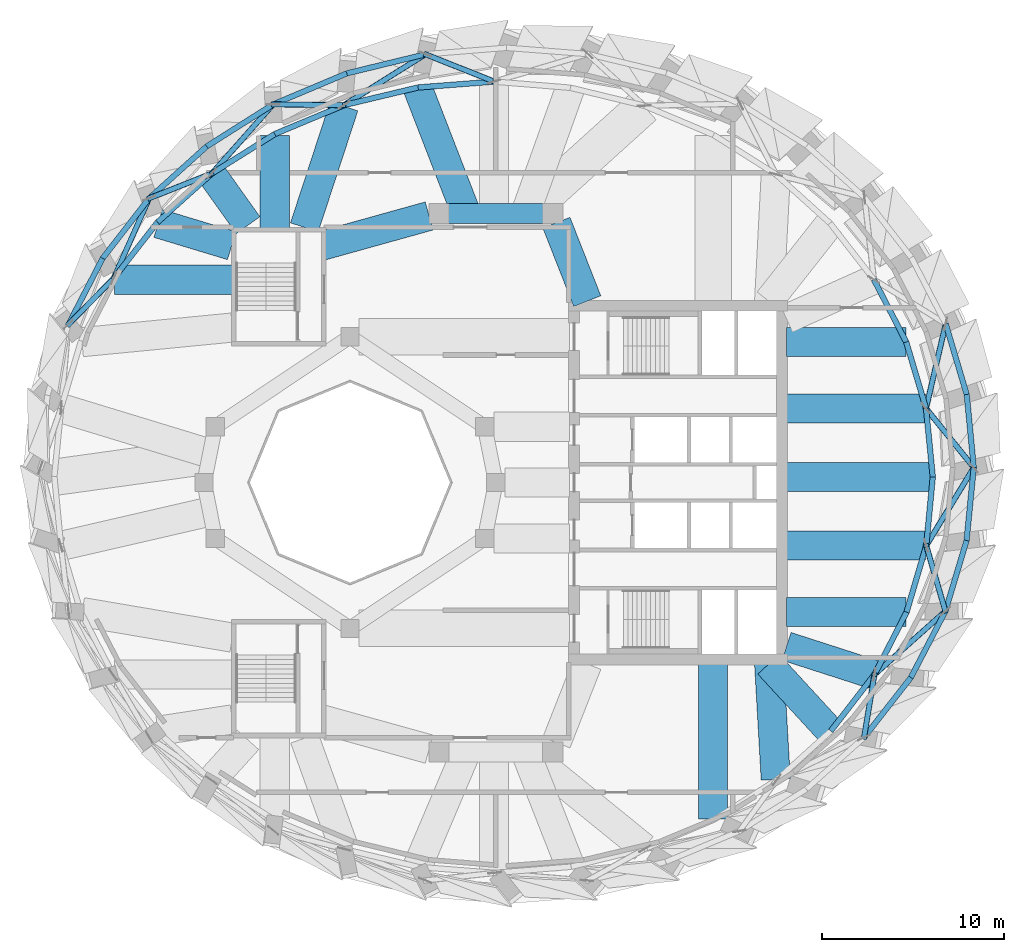
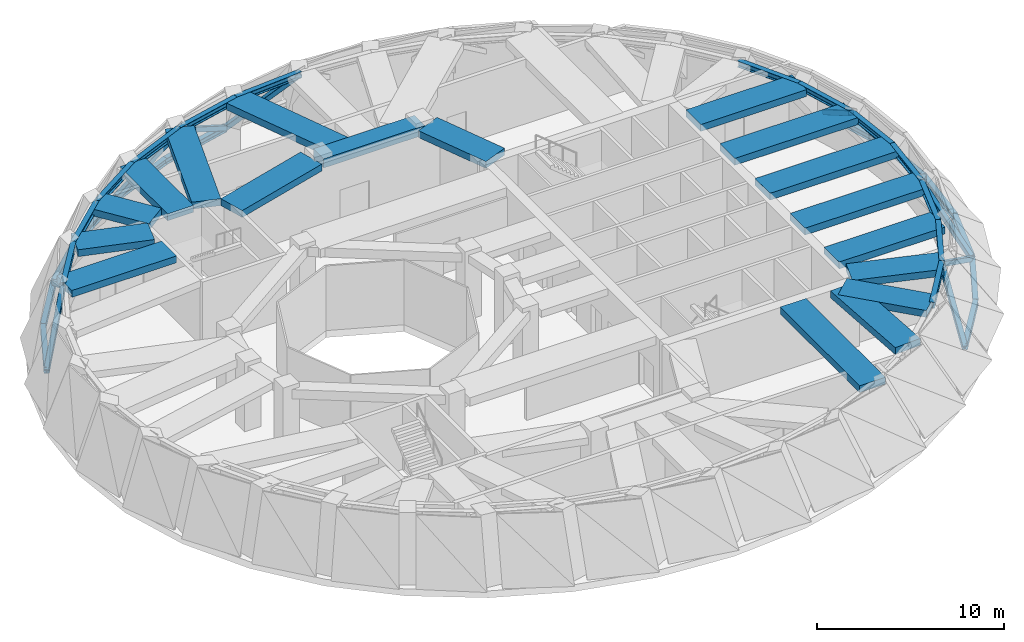
# One storey, part 3 of 14: 38 members, 18 beams.
"""IFC4 building model written with IfcOpenShell, lengths in metres."""

from ifc_helpers import new_model, si_unit, direction, frame, origin, origin_2d, place, context, subcontext, project, spatial, rectangle, hollow_rectangle, i_section, extrude, material, material_profile, profile_set, type_object, element, save


model = new_model("IFC4")

# Units and contexts
model_context = context("Model", 3, precision=1e-05, world=origin(), true_north=direction((0.0, 1.0)))
body_context = subcontext(model_context, "Body", "Model", "MODEL_VIEW")
ifc_project = project(units=[si_unit("LENGTHUNIT", "METRE"), si_unit("AREAUNIT", "SQUARE_METRE"), si_unit("VOLUMEUNIT", "CUBIC_METRE"), si_unit("PLANEANGLEUNIT", "RADIAN"), si_unit("MASSUNIT", "GRAM", prefix="KILO")], contexts=[model_context])

# Site, building, storey
site_placement = place(None, origin())
site = spatial("IfcSite", under=ifc_project, at=site_placement, CompositionType="ELEMENT")
building_placement = place(site_placement, origin())
building = spatial("IfcBuilding", under=site, at=building_placement, Name="Taillehof Tower", CompositionType="ELEMENT")
storey_placement = place(building_placement, frame((0.0, 0.0, 228.800048828125)))
storey = spatial("IfcBuildingStorey", under=building, at=storey_placement, Name="L65", CompositionType="ELEMENT", Elevation=228.800048828125)

# Members
ifc_material_1 = material(Name="Steel S460M", Category="steel")
ifc_material_profile_1 = material_profile(ifc_material_1, i_section(OverallWidth=0.300048828125, OverallDepth=0.39990234375, WebThickness=0.013427734375, FlangeThickness=0.02392578125, FilletRadius=0.027099609375, at=origin_2d()), Name="HEB 400")
ifc_profile_set_1 = profile_set([ifc_material_profile_1], Name="Steel S460M")
member_type_1 = type_object("IfcMemberType", Name="Belt truss chord HEB 400", PredefinedType="CHORD", material=ifc_profile_set_1)
member_1_placement = place(storey_placement, frame((26.222900390625, 0.824462890625, 0.89990234375), z_axis=(-0.095963380189, 0.995384865096, 0.0), x_axis=(-0.995384865096, -0.095963380189, 0.0)))
element("IfcMember", 1, at=member_1_placement, inside=storey, type_object=member_type_1, Name="Belt truss bottom chord BB01", PredefinedType="CHORD", context=body_context, shape_type="SweptSolid", body=[
    extrude(i_section(OverallWidth=0.300048828125, OverallDepth=0.39990234375, WebThickness=0.013427734375, FlangeThickness=0.02392578125, FilletRadius=0.027099609375, at=origin_2d()), origin(), (0.0, 0.0, 1.0), 4.022216796875),
])
member_2_placement = place(storey_placement, frame((23.974609375, 0.3056640625, 4.02001953125), z_axis=(-0.097949113765, 0.995191424356, 0.0), x_axis=(-0.995191424356, -0.097949113765, 0.0)))
element("IfcMember", 2, at=member_2_placement, inside=storey, type_object=member_type_1, Name="Belt truss top chord BT01", PredefinedType="CHORD", context=body_context, shape_type="SweptSolid", body=[
    extrude(i_section(OverallWidth=0.300048828125, OverallDepth=0.39990234375, WebThickness=0.013427734375, FlangeThickness=0.02392578125, FilletRadius=0.027099609375, at=origin_2d()), origin(), (0.0, 0.0, 1.0), 3.778564453125),
])
member_3_placement = place(storey_placement, frame((25.8369140625, 4.828125, 0.89990234375), z_axis=(-0.285079544815, 0.958503861822, 0.0), x_axis=(-0.958503861822, -0.285079544815, 0.0)))
element("IfcMember", 3, at=member_3_placement, inside=storey, type_object=member_type_1, Name="Belt truss bottom chord BB02", PredefinedType="CHORD", context=body_context, shape_type="SweptSolid", body=[
    extrude(i_section(OverallWidth=0.300048828125, OverallDepth=0.39990234375, WebThickness=0.013427734375, FlangeThickness=0.02392578125, FilletRadius=0.027099609375, at=origin_2d()), origin(), (0.0, 0.0, 1.0), 4.0498046875),
])
member_4_placement = place(storey_placement, frame((23.6044921875, 4.066162109375, 4.02001953125), z_axis=(-0.285887811423, 0.958263095021, 0.0), x_axis=(-0.958263095021, -0.285887811423, 0.0)))
element("IfcMember", 4, at=member_4_placement, inside=storey, type_object=member_type_1, Name="Belt truss top chord BT02", PredefinedType="CHORD", context=body_context, shape_type="SweptSolid", body=[
    extrude(i_section(OverallWidth=0.300048828125, OverallDepth=0.39990234375, WebThickness=0.013427734375, FlangeThickness=0.02392578125, FilletRadius=0.027099609375, at=origin_2d()), origin(), (0.0, 0.0, 1.0), 3.805419921875),
])
member_5_placement = place(storey_placement, frame((22.5166015625, 7.712646484375, 4.02001953125), z_axis=(-0.459939883839, 0.887950056734, 0.0), x_axis=(-0.887950056734, -0.459939883839, 0.0)))
element("IfcMember", 5, at=member_5_placement, inside=storey, type_object=member_type_1, Name="Belt truss top chord BT03", PredefinedType="CHORD", context=body_context, shape_type="SweptSolid", body=[
    extrude(i_section(OverallWidth=0.300048828125, OverallDepth=0.39990234375, WebThickness=0.013427734375, FlangeThickness=0.02392578125, FilletRadius=0.027099609375, at=origin_2d()), origin(), (0.0, 0.0, 1.0), 3.853759765625),
])
member_6_placement = place(storey_placement, frame((-0.0830078125, 21.996826171875, 4.02001953125), z_axis=(-0.997078070078, -0.076389280464, 0.0), x_axis=(0.076389280464, -0.997078070078, 0.0)))
element("IfcMember", 6, at=member_6_placement, inside=storey, type_object=member_type_1, Name="Belt truss top chord BT10", PredefinedType="CHORD", context=body_context, shape_type="SweptSolid", body=[
    extrude(i_section(OverallWidth=0.300048828125, OverallDepth=0.39990234375, WebThickness=0.013427734375, FlangeThickness=0.02392578125, FilletRadius=0.027099609375, at=origin_2d()), origin(), (0.0, 0.0, 1.0), 4.193115234375),
])
member_7_placement = place(storey_placement, frame((-3.856201171875, 23.496337890625, 0.89990234375), z_axis=(-0.971783625763, -0.235874086534, 0.0), x_axis=(0.235874086534, -0.971783625763, 0.0)))
element("IfcMember", 7, at=member_7_placement, inside=storey, type_object=member_type_1, Name="Belt truss bottom chord BB11", PredefinedType="CHORD", context=body_context, shape_type="SweptSolid", body=[
    extrude(i_section(OverallWidth=0.300048828125, OverallDepth=0.39990234375, WebThickness=0.013427734375, FlangeThickness=0.02392578125, FilletRadius=0.027099609375, at=origin_2d()), origin(), (0.0, 0.0, 1.0), 4.436279296875),
])
member_8_placement = place(storey_placement, frame((-4.263916015625, 21.676513671875, 4.02001953125), z_axis=(-0.972630684599, -0.232356517827, 0.0), x_axis=(0.232356517827, -0.972630684599, 0.0)))
element("IfcMember", 8, at=member_8_placement, inside=storey, type_object=member_type_1, Name="Belt truss top chord BT11", PredefinedType="CHORD", context=body_context, shape_type="SweptSolid", body=[
    extrude(i_section(OverallWidth=0.300048828125, OverallDepth=0.39990234375, WebThickness=0.013427734375, FlangeThickness=0.02392578125, FilletRadius=0.027099609375, at=origin_2d()), origin(), (0.0, 0.0, 1.0), 4.17041015625),
])
member_9_placement = place(storey_placement, frame((-8.167236328125, 22.449951171875, 0.89990234375), z_axis=(-0.921556796904, -0.388243570557, 0.0), x_axis=(0.388243570557, -0.921556796904, 0.0)))
element("IfcMember", 9, at=member_9_placement, inside=storey, type_object=member_type_1, Name="Belt truss bottom chord BB12", PredefinedType="CHORD", context=body_context, shape_type="SweptSolid", body=[
    extrude(i_section(OverallWidth=0.300048828125, OverallDepth=0.39990234375, WebThickness=0.013427734375, FlangeThickness=0.02392578125, FilletRadius=0.027099609375, at=origin_2d()), origin(), (0.0, 0.0, 1.0), 4.387451171875),
])
member_10_placement = place(storey_placement, frame((-8.320068359375, 20.70751953125, 4.02001953125), z_axis=(-0.922900033573, -0.385039644752, 0.0), x_axis=(0.385039644752, -0.922900033573, 0.0)))
element("IfcMember", 10, at=member_10_placement, inside=storey, type_object=member_type_1, Name="Belt truss top chord BT12", PredefinedType="CHORD", context=body_context, shape_type="SweptSolid", body=[
    extrude(i_section(OverallWidth=0.300048828125, OverallDepth=0.39990234375, WebThickness=0.013427734375, FlangeThickness=0.02392578125, FilletRadius=0.027099609375, at=origin_2d()), origin(), (0.0, 0.0, 1.0), 4.12646484375),
])
member_11_placement = place(storey_placement, frame((-12.21044921875, 20.74658203125, 0.89990234375), z_axis=(-0.845346542188, -0.534218329535, 0.0), x_axis=(0.534218329535, -0.845346542188, 0.0)))
element("IfcMember", 11, at=member_11_placement, inside=storey, type_object=member_type_1, Name="Belt truss bottom chord BB13", PredefinedType="CHORD", context=body_context, shape_type="SweptSolid", body=[
    extrude(i_section(OverallWidth=0.300048828125, OverallDepth=0.39990234375, WebThickness=0.013427734375, FlangeThickness=0.02392578125, FilletRadius=0.027099609375, at=origin_2d()), origin(), (0.0, 0.0, 1.0), 4.320556640625),
])
member_12_placement = place(storey_placement, frame((-12.12841796875, 19.11865234375, 4.02001953125), z_axis=(-0.847126956742, -0.531390552383, 0.0), x_axis=(0.531390552383, -0.847126956742, 0.0)))
element("IfcMember", 12, at=member_12_placement, inside=storey, type_object=member_type_1, Name="Belt truss top chord BT13", PredefinedType="CHORD", context=body_context, shape_type="SweptSolid", body=[
    extrude(i_section(OverallWidth=0.300048828125, OverallDepth=0.39990234375, WebThickness=0.013427734375, FlangeThickness=0.02392578125, FilletRadius=0.027099609375, at=origin_2d()), origin(), (0.0, 0.0, 1.0), 4.06640625),
])
member_13_placement = place(storey_placement, frame((-15.86279296875, 18.4384765625, 0.89990234375), z_axis=(-0.742446851282, -0.669904973127, 0.0), x_axis=(0.669904973127, -0.742446851282, 0.0)))
element("IfcMember", 13, at=member_13_placement, inside=storey, type_object=member_type_1, Name="Belt truss bottom chord BB14", PredefinedType="CHORD", context=body_context, shape_type="SweptSolid", body=[
    extrude(i_section(OverallWidth=0.300048828125, OverallDepth=0.39990234375, WebThickness=0.013427734375, FlangeThickness=0.02392578125, FilletRadius=0.027099609375, at=origin_2d()), origin(), (0.0, 0.0, 1.0), 4.243896484375),
])
member_14_placement = place(storey_placement, frame((-15.5732421875, 16.957763671875, 4.02001953125), z_axis=(-0.744625968157, -0.667481960465, 0.0), x_axis=(0.667481960465, -0.744625968157, 0.0)))
element("IfcMember", 14, at=member_14_placement, inside=storey, type_object=member_type_1, Name="Belt truss top chord BT14", PredefinedType="CHORD", context=body_context, shape_type="SweptSolid", body=[
    extrude(i_section(OverallWidth=0.300048828125, OverallDepth=0.39990234375, WebThickness=0.013427734375, FlangeThickness=0.02392578125, FilletRadius=0.027099609375, at=origin_2d()), origin(), (0.0, 0.0, 1.0), 3.9970703125),
])
member_15_placement = place(storey_placement, frame((-19.013671875, 15.595458984375, 0.89990234375), z_axis=(-0.613104340843, -0.790001941289, 0.0), x_axis=(0.790001941289, -0.613104340843, 0.0)))
element("IfcMember", 15, at=member_15_placement, inside=storey, type_object=member_type_1, Name="Belt truss bottom chord BB15", PredefinedType="CHORD", context=body_context, shape_type="SweptSolid", body=[
    extrude(i_section(OverallWidth=0.300048828125, OverallDepth=0.39990234375, WebThickness=0.013427734375, FlangeThickness=0.02392578125, FilletRadius=0.027099609375, at=origin_2d()), origin(), (0.0, 0.0, 1.0), 4.165283203125),
])
member_16_placement = place(storey_placement, frame((-18.549560546875, 14.289794921875, 4.02001953125), z_axis=(-0.615575254585, -0.788078109037, 0.0), x_axis=(0.788078109037, -0.615575254585, 0.0)))
element("IfcMember", 16, at=member_16_placement, inside=storey, type_object=member_type_1, Name="Belt truss top chord BT15", PredefinedType="CHORD", context=body_context, shape_type="SweptSolid", body=[
    extrude(i_section(OverallWidth=0.300048828125, OverallDepth=0.39990234375, WebThickness=0.013427734375, FlangeThickness=0.02392578125, FilletRadius=0.027099609375, at=origin_2d()), origin(), (0.0, 0.0, 1.0), 3.926025390625),
])
member_17_placement = place(storey_placement, frame((-21.5673828125, 12.304931640625, 0.89990234375), z_axis=(-0.459049853515, -0.888410508711, 0.0), x_axis=(0.888410508711, -0.459049853515, 0.0)))
element("IfcMember", 17, at=member_17_placement, inside=storey, type_object=member_type_1, Name="Belt truss bottom chord BB16", PredefinedType="CHORD", context=body_context, shape_type="SweptSolid", body=[
    extrude(i_section(OverallWidth=0.300048828125, OverallDepth=0.39990234375, WebThickness=0.013427734375, FlangeThickness=0.02392578125, FilletRadius=0.027099609375, at=origin_2d()), origin(), (0.0, 0.0, 1.0), 4.09521484375),
])
member_18_placement = place(storey_placement, frame((20.20068359375, -13.985595703125, 0.89990234375), z_axis=(0.615842730278, 0.787869108142, 0.0), x_axis=(-0.787869108142, 0.615842730278, 0.0)))
element("IfcMember", 18, at=member_18_placement, inside=storey, type_object=member_type_1, Name="Belt truss bottom chord BB33", PredefinedType="CHORD", context=body_context, shape_type="SweptSolid", body=[
    extrude(i_section(OverallWidth=0.300048828125, OverallDepth=0.39990234375, WebThickness=0.013427734375, FlangeThickness=0.02392578125, FilletRadius=0.027099609375, at=origin_2d()), origin(), (0.0, 0.0, 1.0), 4.17236328125),
])
member_19_placement = place(storey_placement, frame((18.379638671875, -13.62744140625, 4.02001953125), z_axis=(0.611772083338, 0.791034081471, 0.0), x_axis=(-0.791034081471, 0.611772083338, 0.0)))
element("IfcMember", 19, at=member_19_placement, inside=storey, type_object=member_type_1, Name="Belt truss top chord BT33", PredefinedType="CHORD", context=body_context, shape_type="SweptSolid", body=[
    extrude(i_section(OverallWidth=0.300048828125, OverallDepth=0.39990234375, WebThickness=0.013427734375, FlangeThickness=0.02392578125, FilletRadius=0.027099609375, at=origin_2d()), origin(), (0.0, 0.0, 1.0), 3.9169921875),
])
member_20_placement = place(storey_placement, frame((22.770263671875, -10.6982421875, 0.89990234375), z_axis=(0.46188469068, 0.886939982477, 0.0), x_axis=(-0.886939982477, 0.46188469068, 0.0)))
element("IfcMember", 20, at=member_20_placement, inside=storey, type_object=member_type_1, Name="Belt truss bottom chord BB34", PredefinedType="CHORD", context=body_context, shape_type="SweptSolid", body=[
    extrude(i_section(OverallWidth=0.300048828125, OverallDepth=0.39990234375, WebThickness=0.013427734375, FlangeThickness=0.02392578125, FilletRadius=0.027099609375, at=origin_2d()), origin(), (0.0, 0.0, 1.0), 4.103271484375),
])
member_21_placement = place(storey_placement, frame((20.77587890625, -10.529052734375, 4.02001953125), z_axis=(0.457653010558, 0.889130880089, 0.0), x_axis=(-0.889130880089, 0.457653010558, 0.0)))
element("IfcMember", 21, at=member_21_placement, inside=storey, type_object=member_type_1, Name="Belt truss top chord BT34", PredefinedType="CHORD", context=body_context, shape_type="SweptSolid", body=[
    extrude(i_section(OverallWidth=0.300048828125, OverallDepth=0.39990234375, WebThickness=0.013427734375, FlangeThickness=0.02392578125, FilletRadius=0.027099609375, at=origin_2d()), origin(), (0.0, 0.0, 1.0), 3.85205078125),
])
member_22_placement = place(storey_placement, frame((24.66552734375, -7.058837890625, 0.89990234375), z_axis=(0.287060351682, 0.957912498348, 0.0), x_axis=(-0.957912498348, 0.287060351682, 0.0)))
element("IfcMember", 22, at=member_22_placement, inside=storey, type_object=member_type_1, Name="Belt truss bottom chord BB35", PredefinedType="CHORD", context=body_context, shape_type="SweptSolid", body=[
    extrude(i_section(OverallWidth=0.300048828125, OverallDepth=0.39990234375, WebThickness=0.013427734375, FlangeThickness=0.02392578125, FilletRadius=0.027099609375, at=origin_2d()), origin(), (0.0, 0.0, 1.0), 4.05078125),
])
member_23_placement = place(storey_placement, frame((22.538818359375, -7.10400390625, 4.02001953125), z_axis=(0.283093927248, 0.959092189706, 0.0), x_axis=(-0.959092189706, 0.283093927248, 0.0)))
element("IfcMember", 23, at=member_23_placement, inside=storey, type_object=member_type_1, Name="Belt truss top chord BT35", PredefinedType="CHORD", context=body_context, shape_type="SweptSolid", body=[
    extrude(i_section(OverallWidth=0.300048828125, OverallDepth=0.39990234375, WebThickness=0.013427734375, FlangeThickness=0.02392578125, FilletRadius=0.027099609375, at=origin_2d()), origin(), (0.0, 0.0, 1.0), 3.803955078125),
])
member_24_placement = place(storey_placement, frame((25.828369140625, -3.178466796875, 0.89990234375), z_axis=(0.098085365674, 0.995178004701, 0.0), x_axis=(-0.995178004701, 0.098085365674, 0.0)))
element("IfcMember", 24, at=member_24_placement, inside=storey, type_object=member_type_1, Name="Belt truss bottom chord BB36", PredefinedType="CHORD", context=body_context, shape_type="SweptSolid", body=[
    extrude(i_section(OverallWidth=0.300048828125, OverallDepth=0.39990234375, WebThickness=0.013427734375, FlangeThickness=0.02392578125, FilletRadius=0.027099609375, at=origin_2d()), origin(), (0.0, 0.0, 1.0), 4.022216796875),
])
member_25_placement = place(storey_placement, frame((23.61572265625, -3.45556640625, 4.02001953125), z_axis=(0.094985951008, 0.995478613086, 0.0), x_axis=(-0.995478613086, 0.094985951008, 0.0)))
element("IfcMember", 25, at=member_25_placement, inside=storey, type_object=member_type_1, Name="Belt truss top chord BT36", PredefinedType="CHORD", context=body_context, shape_type="SweptSolid", body=[
    extrude(i_section(OverallWidth=0.300048828125, OverallDepth=0.39990234375, WebThickness=0.013427734375, FlangeThickness=0.02392578125, FilletRadius=0.027099609375, at=origin_2d()), origin(), (0.0, 0.0, 1.0), 3.7783203125),
])
ifc_material_2 = material(Name="Steel S460M", Category="steel")
ifc_material_profile_2 = material_profile(ifc_material_2, hollow_rectangle(XDim=0.300048828125, YDim=0.300048828125, WallThickness=0.012451171875, InnerFilletRadius=0.012451171875, OuterFilletRadius=0.018798828125, at=origin_2d()), Name="RHS 300x300x12.5")
ifc_profile_set_2 = profile_set([ifc_material_profile_2], Name="Steel S460M")
member_type_2 = type_object("IfcMemberType", Name="Belt truss diagonal RHS 300x300x12.5", PredefinedType="BRACE", material=ifc_profile_set_2)
member_26_placement = place(storey_placement, frame((26.222900390625, 0.824462890625, 0.89990234375), z_axis=(-0.502984100507, 0.622715420655, 0.599360075009), x_axis=(-0.777927962387, -0.628353471652, 0.0)))
element("IfcMember", 26, at=member_26_placement, inside=storey, type_object=member_type_2, Name="Belt truss diagonal BX01", PredefinedType="BRACE", context=body_context, shape_type="SweptSolid", body=[
    extrude(hollow_rectangle(XDim=0.300048828125, YDim=0.300048828125, WallThickness=0.012451171875, InnerFilletRadius=0.012451171875, OuterFilletRadius=0.018798828125, at=origin_2d()), origin(), (0.0, 0.0, 1.0), 5.205810546875),
])
member_27_placement = place(storey_placement, frame((23.6044921875, 4.066162109375, 4.02001953125), z_axis=(0.189183949334, 0.815055017053, -0.547626471686), x_axis=(-0.974103847313, 0.226101071757, 0.0)))
element("IfcMember", 27, at=member_27_placement, inside=storey, type_object=member_type_2, Name="Belt truss diagonal BX02", PredefinedType="BRACE", context=body_context, shape_type="SweptSolid", body=[
    extrude(hollow_rectangle(XDim=0.300048828125, YDim=0.300048828125, WallThickness=0.012451171875, InnerFilletRadius=0.012451171875, OuterFilletRadius=0.018798828125, at=origin_2d()), origin(), (0.0, 0.0, 1.0), 5.697509765625),
])
member_28_placement = place(storey_placement, frame((-0.0830078125, 21.996826171875, 4.02001953125), z_axis=(-0.736863924961, 0.292838448859, -0.609325199677), x_axis=(-0.369316314062, -0.929303750217, 0.0)))
element("IfcMember", 28, at=member_28_placement, inside=storey, type_object=member_type_2, Name="Belt truss diagonal BX10", PredefinedType="BRACE", context=body_context, shape_type="SweptSolid", body=[
    extrude(hollow_rectangle(XDim=0.300048828125, YDim=0.300048828125, WallThickness=0.012451171875, InnerFilletRadius=0.012451171875, OuterFilletRadius=0.018798828125, at=origin_2d()), origin(), (0.0, 0.0, 1.0), 5.12060546875),
])
member_29_placement = place(storey_placement, frame((-3.856201171875, 23.496337890625, 0.89990234375), z_axis=(-0.72954250189, -0.455784510998, 0.509929620114), x_axis=(0.529848833914, -0.848092101838, 0.0)))
element("IfcMember", 29, at=member_29_placement, inside=storey, type_object=member_type_2, Name="Belt truss diagonal BX11", PredefinedType="BRACE", context=body_context, shape_type="SweptSolid", body=[
    extrude(hollow_rectangle(XDim=0.300048828125, YDim=0.300048828125, WallThickness=0.012451171875, InnerFilletRadius=0.012451171875, OuterFilletRadius=0.018798828125, at=origin_2d()), origin(), (0.0, 0.0, 1.0), 6.11865234375),
])
member_30_placement = place(storey_placement, frame((-8.320068359375, 20.70751953125, 4.02001953125), z_axis=(-0.78008011354, 0.007832621159, -0.625630615064), x_axis=(-0.010040284607, -0.999949595072, 0.0)))
element("IfcMember", 30, at=member_30_placement, inside=storey, type_object=member_type_2, Name="Belt truss diagonal BX12", PredefinedType="BRACE", context=body_context, shape_type="SweptSolid", body=[
    extrude(hollow_rectangle(XDim=0.300048828125, YDim=0.300048828125, WallThickness=0.012451171875, InnerFilletRadius=0.012451171875, OuterFilletRadius=0.018798828125, at=origin_2d()), origin(), (0.0, 0.0, 1.0), 4.987060546875),
])
member_31_placement = place(storey_placement, frame((-12.21044921875, 20.74658203125, 0.89990234375), z_axis=(-0.565206003645, -0.636810800826, 0.524417941527), x_axis=(0.747903669175, -0.66380727748, 0.0)))
element("IfcMember", 31, at=member_31_placement, inside=storey, type_object=member_type_2, Name="Belt truss diagonal BX13", PredefinedType="BRACE", context=body_context, shape_type="SweptSolid", body=[
    extrude(hollow_rectangle(XDim=0.300048828125, YDim=0.300048828125, WallThickness=0.012451171875, InnerFilletRadius=0.012451171875, OuterFilletRadius=0.018798828125, at=origin_2d()), origin(), (0.0, 0.0, 1.0), 5.94970703125),
])
member_32_placement = place(storey_placement, frame((-15.5732421875, 16.957763671875, 4.02001953125), z_axis=(-0.710802817851, -0.281456125717, -0.644625320191), x_axis=(0.36815777652, -0.929763330954, 0.0)))
element("IfcMember", 32, at=member_32_placement, inside=storey, type_object=member_type_2, Name="Belt truss diagonal BX14", PredefinedType="BRACE", context=body_context, shape_type="SweptSolid", body=[
    extrude(hollow_rectangle(XDim=0.300048828125, YDim=0.300048828125, WallThickness=0.012451171875, InnerFilletRadius=0.012451171875, OuterFilletRadius=0.018798828125, at=origin_2d()), origin(), (0.0, 0.0, 1.0), 4.840087890625),
])
member_33_placement = place(storey_placement, frame((-19.013671875, 15.595458984375, 0.89990234375), z_axis=(-0.340401193108, -0.766987984622, 0.543926887712), x_axis=(0.914024760198, -0.405658400314, 0.0)))
element("IfcMember", 33, at=member_33_placement, inside=storey, type_object=member_type_2, Name="Belt truss diagonal BX15", PredefinedType="BRACE", context=body_context, shape_type="SweptSolid", body=[
    extrude(hollow_rectangle(XDim=0.300048828125, YDim=0.300048828125, WallThickness=0.012451171875, InnerFilletRadius=0.012451171875, OuterFilletRadius=0.018798828125, at=origin_2d()), origin(), (0.0, 0.0, 1.0), 5.736328125),
])
member_34_placement = place(storey_placement, frame((-20.96630859375, 11.19580078125, 4.02001953125), z_axis=(-0.525532296667, -0.535720238258, -0.660923317399), x_axis=(0.713862057682, -0.700286343292, 0.0)))
element("IfcMember", 34, at=member_34_placement, inside=storey, type_object=member_type_2, Name="Belt truss diagonal BX16", PredefinedType="BRACE", context=body_context, shape_type="SweptSolid", body=[
    extrude(hollow_rectangle(XDim=0.300048828125, YDim=0.300048828125, WallThickness=0.012451171875, InnerFilletRadius=0.012451171875, OuterFilletRadius=0.018798828125, at=origin_2d()), origin(), (0.0, 0.0, 1.0), 4.720947265625),
])
member_35_placement = place(storey_placement, frame((20.20068359375, -13.985595703125, 0.89990234375), z_axis=(0.122593970293, 0.736708587183, 0.665004643607), x_axis=(-0.986435319912, 0.164150417694, 0.0)))
element("IfcMember", 35, at=member_35_placement, inside=storey, type_object=member_type_2, Name="Belt truss diagonal BX33", PredefinedType="BRACE", context=body_context, shape_type="SweptSolid", body=[
    extrude(hollow_rectangle(XDim=0.300048828125, YDim=0.300048828125, WallThickness=0.012451171875, InnerFilletRadius=0.012451171875, OuterFilletRadius=0.018798828125, at=origin_2d()), origin(), (0.0, 0.0, 1.0), 4.69189453125),
])
member_36_placement = place(storey_placement, frame((20.77587890625, -10.529052734375, 4.02001953125), z_axis=(0.640260398332, 0.57121901217, -0.513590753872), x_axis=(-0.6657290523, 0.746193559958, 0.0)))
element("IfcMember", 36, at=member_36_placement, inside=storey, type_object=member_type_2, Name="Belt truss diagonal BX34", PredefinedType="BRACE", context=body_context, shape_type="SweptSolid", body=[
    extrude(hollow_rectangle(XDim=0.300048828125, YDim=0.300048828125, WallThickness=0.012451171875, InnerFilletRadius=0.012451171875, OuterFilletRadius=0.018798828125, at=origin_2d()), origin(), (0.0, 0.0, 1.0), 6.0751953125),
])
member_37_placement = place(storey_placement, frame((24.66552734375, -7.058837890625, 0.89990234375), z_axis=(-0.215095071254, 0.738276315496, 0.63928256061), x_axis=(-0.960082286583, -0.279717720192, 0.0)))
element("IfcMember", 37, at=member_37_placement, inside=storey, type_object=member_type_2, Name="Belt truss diagonal BX35", PredefinedType="BRACE", context=body_context, shape_type="SweptSolid", body=[
    extrude(hollow_rectangle(XDim=0.300048828125, YDim=0.300048828125, WallThickness=0.012451171875, InnerFilletRadius=0.012451171875, OuterFilletRadius=0.018798828125, at=origin_2d()), origin(), (0.0, 0.0, 1.0), 4.880615234375),
])
member_38_placement = place(storey_placement, frame((23.61572265625, -3.45556640625, 4.02001953125), z_axis=(0.441633524531, 0.725000217113, -0.528521064098), x_axis=(-0.85402635932, 0.520229735393, 0.0)))
element("IfcMember", 38, at=member_38_placement, inside=storey, type_object=member_type_2, Name="Belt truss diagonal BX36", PredefinedType="BRACE", context=body_context, shape_type="SweptSolid", body=[
    extrude(hollow_rectangle(XDim=0.300048828125, YDim=0.300048828125, WallThickness=0.012451171875, InnerFilletRadius=0.012451171875, OuterFilletRadius=0.018798828125, at=origin_2d()), origin(), (0.0, 0.0, 1.0), 5.903564453125),
])

# Beams
ifc_material_3 = material(Name="Concrete C50/60", Category="concrete")
ifc_material_profile_3 = material_profile(ifc_material_3, rectangle(XDim=1.10009765625, YDim=0.60009765625, at=origin_2d()), Name="RC 1100x600")
ifc_profile_set_3 = profile_set([ifc_material_profile_3], Name="Concrete C50/60")
beam_type_1 = type_object("IfcBeamType", Name="Mid-ring beam C50/60 1100x600", PredefinedType="BEAM", material=ifc_profile_set_3)
beam_1_placement = place(storey_placement, frame((3.125732421875, 14.772216796875, 3.919921875), z_axis=(-1.0, 0.0, 0.0), x_axis=(0.0, -1.0, 0.0)))
element("IfcBeam", 39, at=beam_1_placement, inside=storey, type_object=beam_type_1, Name="Mid-ring beam MB01", PredefinedType="BEAM", context=body_context, shape_type="SweptSolid", body=[
    extrude(rectangle(XDim=1.10009765625, YDim=0.60009765625, at=origin_2d()), origin(), (0.0, 0.0, 1.0), 6.25146484375),
])
ifc_material_4 = material(Name="Concrete C50/60", Category="concrete")
ifc_material_profile_4 = material_profile(ifc_material_4, rectangle(XDim=1.60009765625, YDim=0.449951171875, at=origin_2d()), Name="RC 1600x450")
ifc_profile_set_4 = profile_set([ifc_material_profile_4], Name="Concrete C50/60")
beam_type_2 = type_object("IfcBeamType", Name="Radial band beam C50/60 1600x450", PredefinedType="BEAM", material=ifc_profile_set_4)
beam_2_placement = place(storey_placement, frame((23.949951171875, 0.300048828125, 3.994873046875), z_axis=(-1.0, 0.0, 0.0), x_axis=(0.0, -1.0, 0.0)))
element("IfcBeam", 40, at=beam_2_placement, inside=storey, type_object=beam_type_2, Name="Radial band beam RB01", PredefinedType="BEAM", context=body_context, shape_type="SweptSolid", body=[
    extrude(rectangle(XDim=1.60009765625, YDim=0.449951171875, at=origin_2d()), origin(), (0.0, 0.0, 1.0), 8.0),
])
beam_3_placement = place(storey_placement, frame((23.584716796875, 4.0595703125, 3.994873046875), z_axis=(-1.0, 0.0, 0.0), x_axis=(0.0, -1.0, 0.0)))
element("IfcBeam", 41, at=beam_3_placement, inside=storey, type_object=beam_type_2, Name="Radial band beam RB02", PredefinedType="BEAM", context=body_context, shape_type="SweptSolid", body=[
    extrude(rectangle(XDim=1.60009765625, YDim=0.449951171875, at=origin_2d()), origin(), (0.0, 0.0, 1.0), 7.634765625),
])
beam_4_placement = place(storey_placement, frame((22.49951171875, 7.704833984375, 3.994873046875), z_axis=(-1.0, 0.0, 0.0), x_axis=(0.0, -1.0, 0.0)))
element("IfcBeam", 42, at=beam_4_placement, inside=storey, type_object=beam_type_2, Name="Radial band beam RB03", PredefinedType="BEAM", context=body_context, shape_type="SweptSolid", body=[
    extrude(rectangle(XDim=1.60009765625, YDim=0.449951171875, at=origin_2d()), origin(), (0.0, 0.0, 1.0), 6.549560546875),
])
beam_5_placement = place(storey_placement, frame((-4.276123046875, 21.62109375, 3.994873046875), z_axis=(0.360900836016, -0.932604196089, 0.0), x_axis=(0.932604196089, 0.360900836016, 0.0)))
element("IfcBeam", 43, at=beam_5_placement, inside=storey, type_object=beam_type_2, Name="Radial band beam RB11", PredefinedType="BEAM", context=body_context, shape_type="SweptSolid", body=[
    extrude(rectangle(XDim=1.60009765625, YDim=0.449951171875, at=origin_2d()), origin(), (0.0, 0.0, 1.0), 7.34375),
])
beam_6_placement = place(storey_placement, frame((-8.32568359375, 20.644287109375, 3.994873046875), z_axis=(-0.311027592166, -0.950400882213, 0.0), x_axis=(0.950400882213, -0.311027592166, 0.0)))
element("IfcBeam", 44, at=beam_6_placement, inside=storey, type_object=beam_type_2, Name="Radial band beam RB12", PredefinedType="BEAM", context=body_context, shape_type="SweptSolid", body=[
    extrude(rectangle(XDim=1.60009765625, YDim=0.449951171875, at=origin_2d()), origin(), (0.0, 0.0, 1.0), 6.992431640625),
])
beam_7_placement = place(storey_placement, frame((-12.125, 19.049560546875, 3.994873046875), z_axis=(0.0, -1.0, 0.0), x_axis=(1.0, 0.0, 0.0)))
element("IfcBeam", 45, at=beam_7_placement, inside=storey, type_object=beam_type_2, Name="Radial band beam RB13", PredefinedType="BEAM", context=body_context, shape_type="SweptSolid", body=[
    extrude(rectangle(XDim=1.60009765625, YDim=0.449951171875, at=origin_2d()), origin(), (0.0, 0.0, 1.0), 5.099609375),
])
beam_8_placement = place(storey_placement, frame((-15.55908203125, 16.884765625, 3.994873046875), z_axis=(0.580959197129, -0.813932682272, 0.0), x_axis=(0.813932682272, 0.580959197129, 0.0)))
element("IfcBeam", 46, at=beam_8_placement, inside=storey, type_object=beam_type_2, Name="Radial band beam RB14", PredefinedType="BEAM", context=body_context, shape_type="SweptSolid", body=[
    extrude(rectangle(XDim=1.60009765625, YDim=0.449951171875, at=origin_2d()), origin(), (0.0, 0.0, 1.0), 3.394287109375),
])
beam_9_placement = place(storey_placement, frame((-18.5234375, 14.21630859375, 3.994873046875), z_axis=(0.95721702176, -0.289370995872, 0.0), x_axis=(0.289370995872, 0.95721702176, 0.0)))
element("IfcBeam", 47, at=beam_9_placement, inside=storey, type_object=beam_type_2, Name="Radial band beam RB15", PredefinedType="BEAM", context=body_context, shape_type="SweptSolid", body=[
    extrude(rectangle(XDim=1.60009765625, YDim=0.449951171875, at=origin_2d()), origin(), (0.0, 0.0, 1.0), 4.216796875),
])
beam_10_placement = place(storey_placement, frame((-20.927978515625, 11.125, 3.994873046875), z_axis=(1.0, 0.0, 0.0), x_axis=(0.0, 1.0, 0.0)))
element("IfcBeam", 48, at=beam_10_placement, inside=storey, type_object=beam_type_2, Name="Radial band beam RB16", PredefinedType="BEAM", context=body_context, shape_type="SweptSolid", body=[
    extrude(rectangle(XDim=1.60009765625, YDim=0.449951171875, at=origin_2d()), origin(), (0.0, 0.0, 1.0), 6.47802734375),
])
beam_11_placement = place(storey_placement, frame((11.925048828125, -18.449462890625, 3.994873046875), z_axis=(0.0, 1.0, 0.0), x_axis=(-1.0, 0.0, 0.0)))
element("IfcBeam", 49, at=beam_11_placement, inside=storey, type_object=beam_type_2, Name="Radial band beam RB31", PredefinedType="BEAM", context=body_context, shape_type="SweptSolid", body=[
    extrude(rectangle(XDim=1.60009765625, YDim=0.449951171875, at=origin_2d()), origin(), (0.0, 0.0, 1.0), 8.49951171875),
])
beam_12_placement = place(storey_placement, frame((15.359130859375, -16.284912109375, 3.994873046875), z_axis=(-0.057061844043, 0.998370645579, 0.0), x_axis=(-0.998370645579, -0.057061844043, 0.0)))
element("IfcBeam", 50, at=beam_12_placement, inside=storey, type_object=beam_type_2, Name="Radial band beam RB32", PredefinedType="BEAM", context=body_context, shape_type="SweptSolid", body=[
    extrude(rectangle(XDim=1.60009765625, YDim=0.449951171875, at=origin_2d()), origin(), (0.0, 0.0, 1.0), 6.344970703125),
])
beam_13_placement = place(storey_placement, frame((18.323486328125, -13.616455078125, 3.994873046875), z_axis=(-0.676659897365, 0.736295717289, 0.0), x_axis=(-0.736295717289, -0.676659897365, 0.0)))
element("IfcBeam", 51, at=beam_13_placement, inside=storey, type_object=beam_type_2, Name="Radial band beam RB33", PredefinedType="BEAM", context=body_context, shape_type="SweptSolid", body=[
    extrude(rectangle(XDim=1.60009765625, YDim=0.449951171875, at=origin_2d()), origin(), (0.0, 0.0, 1.0), 4.961669921875),
])
beam_14_placement = place(storey_placement, frame((20.72802734375, -10.52490234375, 3.994873046875), z_axis=(-0.951722832358, 0.306958711178, 0.0), x_axis=(-0.306958711178, -0.951722832358, 0.0)))
element("IfcBeam", 52, at=beam_14_placement, inside=storey, type_object=beam_type_2, Name="Radial band beam RB34", PredefinedType="BEAM", context=body_context, shape_type="SweptSolid", body=[
    extrude(rectangle(XDim=1.60009765625, YDim=0.449951171875, at=origin_2d()), origin(), (0.0, 0.0, 1.0), 5.017822265625),
])
beam_15_placement = place(storey_placement, frame((22.49951171875, -7.104736328125, 3.994873046875), z_axis=(-1.0, 0.0, 0.0), x_axis=(0.0, -1.0, 0.0)))
element("IfcBeam", 53, at=beam_15_placement, inside=storey, type_object=beam_type_2, Name="Radial band beam RB35", PredefinedType="BEAM", context=body_context, shape_type="SweptSolid", body=[
    extrude(rectangle(XDim=1.60009765625, YDim=0.449951171875, at=origin_2d()), origin(), (0.0, 0.0, 1.0), 6.549560546875),
])
beam_16_placement = place(storey_placement, frame((23.584716796875, -3.45947265625, 3.994873046875), z_axis=(-1.0, 0.0, 0.0), x_axis=(0.0, -1.0, 0.0)))
element("IfcBeam", 54, at=beam_16_placement, inside=storey, type_object=beam_type_2, Name="Radial band beam RB36", PredefinedType="BEAM", context=body_context, shape_type="SweptSolid", body=[
    extrude(rectangle(XDim=1.60009765625, YDim=0.449951171875, at=origin_2d()), origin(), (0.0, 0.0, 1.0), 7.634765625),
])
beam_17_placement = place(storey_placement, frame((3.32666015625, 14.26025390625, 3.994873046875), z_axis=(0.365588707223, -0.930776502255, 0.0), x_axis=(0.930776502255, 0.365588707223, 0.0)))
element("IfcBeam", 55, at=beam_17_placement, inside=storey, type_object=beam_type_2, Name="Inner band beam IB205", PredefinedType="BEAM", context=body_context, shape_type="SweptSolid", body=[
    extrude(rectangle(XDim=1.60009765625, YDim=0.449951171875, at=origin_2d()), origin(), (0.0, 0.0, 1.0), 4.627197265625),
])
beam_18_placement = place(storey_placement, frame((-3.655517578125, 14.624755859375, 3.994873046875), z_axis=(-0.963459369536, -0.267854518821, 0.0), x_axis=(0.267854518821, -0.963459369536, 0.0)))
element("IfcBeam", 56, at=beam_18_placement, inside=storey, type_object=beam_type_2, Name="Inner band beam IB206", PredefinedType="BEAM", context=body_context, shape_type="SweptSolid", body=[
    extrude(rectangle(XDim=1.60009765625, YDim=0.449951171875, at=origin_2d()), origin(), (0.0, 0.0, 1.0), 6.096923828125),
])

save(model, "model.ifc")
